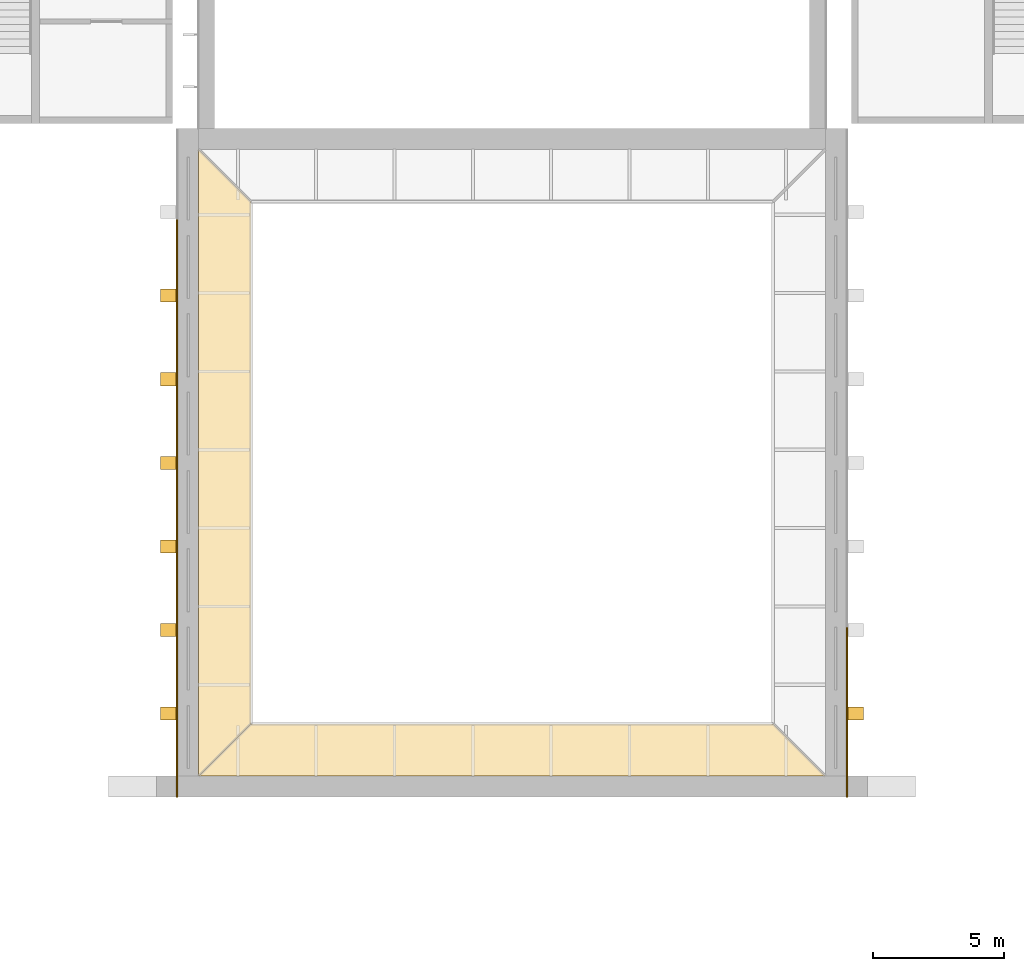
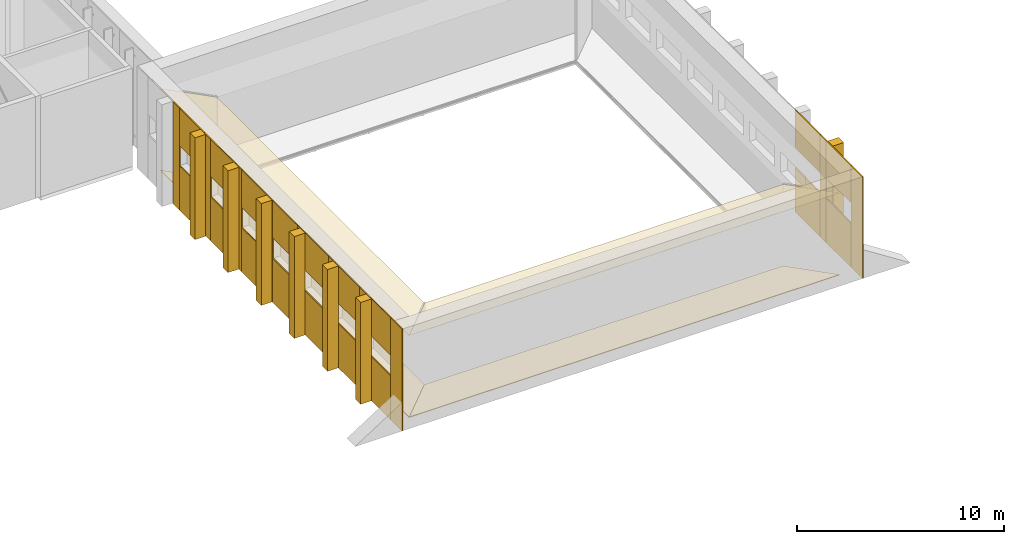
# One storey, part 19 of 22: 39 coverings.
"""IFC4 building model written with IfcOpenShell, lengths in metres."""

from ifc_helpers import new_model, si_unit, direction, frame, origin, origin_2d, place, context, subcontext, project, spatial, polyline, rectangle, outline, extrude, material, layer, layer_set, type_object, element, save


model = new_model("IFC4")

# Units and contexts
model_context = context("Model", 3, precision=1e-05, world=origin(), true_north=direction((0.0, 1.0)))
body_context = subcontext(model_context, "Body", "Model", "MODEL_VIEW")
ifc_project = project(units=[si_unit("LENGTHUNIT", "METRE"), si_unit("AREAUNIT", "SQUARE_METRE"), si_unit("VOLUMEUNIT", "CUBIC_METRE"), si_unit("PLANEANGLEUNIT", "RADIAN"), si_unit("MASSUNIT", "GRAM", prefix="KILO")], contexts=[model_context])

# Site, building, storey
site_placement = place(None, origin())
site = spatial("IfcSite", under=ifc_project, at=site_placement, CompositionType="ELEMENT")
building_placement = place(site_placement, origin())
building = spatial("IfcBuilding", under=site, at=building_placement, Name="Lunette Opera House", CompositionType="ELEMENT")
storey_placement = place(building_placement, frame((0.0, 0.0, 28.0)))
storey = spatial("IfcBuildingStorey", under=building, at=storey_placement, Name="L05", CompositionType="ELEMENT", Elevation=28.0)

# Coverings
ifc_material_1 = material(Name="Aluminium standing seam cladding", Category="aluminium")
ifc_layer_1 = layer(ifc_material_1, 0.06005859375)
ifc_layer_set_1 = layer_set([ifc_layer_1], Name="Aluminium standing seam cladding")
covering_type_1 = type_object("IfcCoveringType", Name="STANDING SEAM CLADDING 60", PredefinedType="CLADDING", material=ifc_layer_set_1)
covering_1_placement = place(storey_placement, frame((83.169921875, 95.75, 0.0), z_axis=(0.0, 0.0, 1.0), x_axis=(0.0, 1.0, 0.0)))
element("IfcCovering", 1, at=covering_1_placement, inside=storey, type_object=covering_type_1, Name="Standing seam cladding WW L05 00", PredefinedType="CLADDING", context=body_context, shape_type="SweptSolid", body=[
    extrude(rectangle(XDim=1.10009765625, YDim=0.06005859375, at=origin_2d()), origin(), (0.0, 0.0, 1.0), 6.0),
])
covering_2_placement = place(storey_placement, frame((83.169921875, 97.5, 0.0), z_axis=(0.0, 0.0, 1.0), x_axis=(0.0, 1.0, 0.0)))
element("IfcCovering", 2, at=covering_2_placement, inside=storey, type_object=covering_type_1, Name="Standing seam cladding WW L05 10", PredefinedType="CLADDING", context=body_context, shape_type="SweptSolid", body=[
    extrude(rectangle(XDim=2.39990234375, YDim=0.06005859375, at=origin_2d()), origin(), (0.0, 0.0, 1.0), 2.60009765625),
])
covering_3_placement = place(storey_placement, frame((83.169921875, 97.5, 3.7998046875), z_axis=(0.0, 0.0, 1.0), x_axis=(0.0, 1.0, 0.0)))
element("IfcCovering", 3, at=covering_3_placement, inside=storey, type_object=covering_type_1, Name="Standing seam cladding WW L05 11", PredefinedType="CLADDING", context=body_context, shape_type="SweptSolid", body=[
    extrude(rectangle(XDim=2.39990234375, YDim=0.06005859375, at=origin_2d()), origin(), (0.0, 0.0, 1.0), 2.199951171875),
])
covering_4_placement = place(storey_placement, frame((83.169921875, 99.0, 0.0), z_axis=(0.0, 0.0, 1.0), x_axis=(0.0, 1.0, 0.0)))
element("IfcCovering", 4, at=covering_4_placement, inside=storey, type_object=covering_type_1, Name="Standing seam cladding WW L05 20", PredefinedType="CLADDING", context=body_context, shape_type="SweptSolid", body=[
    extrude(rectangle(XDim=0.60009765625, YDim=0.06005859375, at=origin_2d()), origin(), (0.0, 0.0, 1.0), 6.0),
])
covering_5_placement = place(storey_placement, frame((83.169921875, 100.5, 0.0), z_axis=(0.0, 0.0, 1.0), x_axis=(0.0, 1.0, 0.0)))
element("IfcCovering", 5, at=covering_5_placement, inside=storey, type_object=covering_type_1, Name="Standing seam cladding WW L05 30", PredefinedType="CLADDING", context=body_context, shape_type="SweptSolid", body=[
    extrude(rectangle(XDim=2.39990234375, YDim=0.06005859375, at=origin_2d()), origin(), (0.0, 0.0, 1.0), 2.60009765625),
])
covering_6_placement = place(storey_placement, frame((83.169921875, 100.5, 3.7998046875), z_axis=(0.0, 0.0, 1.0), x_axis=(0.0, 1.0, 0.0)))
element("IfcCovering", 6, at=covering_6_placement, inside=storey, type_object=covering_type_1, Name="Standing seam cladding WW L05 31", PredefinedType="CLADDING", context=body_context, shape_type="SweptSolid", body=[
    extrude(rectangle(XDim=2.39990234375, YDim=0.06005859375, at=origin_2d()), origin(), (0.0, 0.0, 1.0), 2.199951171875),
])
covering_7_placement = place(storey_placement, frame((83.169921875, 102.0, 0.0), z_axis=(0.0, 0.0, 1.0), x_axis=(0.0, 1.0, 0.0)))
element("IfcCovering", 7, at=covering_7_placement, inside=storey, type_object=covering_type_1, Name="Standing seam cladding WW L05 40", PredefinedType="CLADDING", context=body_context, shape_type="SweptSolid", body=[
    extrude(rectangle(XDim=0.60009765625, YDim=0.06005859375, at=origin_2d()), origin(), (0.0, 0.0, 1.0), 6.0),
])
covering_8_placement = place(storey_placement, frame((83.169921875, 103.5, 0.0), z_axis=(0.0, 0.0, 1.0), x_axis=(0.0, 1.0, 0.0)))
element("IfcCovering", 8, at=covering_8_placement, inside=storey, type_object=covering_type_1, Name="Standing seam cladding WW L05 50", PredefinedType="CLADDING", context=body_context, shape_type="SweptSolid", body=[
    extrude(rectangle(XDim=2.39990234375, YDim=0.06005859375, at=origin_2d()), origin(), (0.0, 0.0, 1.0), 2.60009765625),
])
covering_9_placement = place(storey_placement, frame((83.169921875, 103.5, 3.7998046875), z_axis=(0.0, 0.0, 1.0), x_axis=(0.0, 1.0, 0.0)))
element("IfcCovering", 9, at=covering_9_placement, inside=storey, type_object=covering_type_1, Name="Standing seam cladding WW L05 51", PredefinedType="CLADDING", context=body_context, shape_type="SweptSolid", body=[
    extrude(rectangle(XDim=2.39990234375, YDim=0.06005859375, at=origin_2d()), origin(), (0.0, 0.0, 1.0), 2.199951171875),
])
covering_10_placement = place(storey_placement, frame((83.169921875, 105.0, 0.0), z_axis=(0.0, 0.0, 1.0), x_axis=(0.0, 1.0, 0.0)))
element("IfcCovering", 10, at=covering_10_placement, inside=storey, type_object=covering_type_1, Name="Standing seam cladding WW L05 60", PredefinedType="CLADDING", context=body_context, shape_type="SweptSolid", body=[
    extrude(rectangle(XDim=0.60009765625, YDim=0.06005859375, at=origin_2d()), origin(), (0.0, 0.0, 1.0), 6.0),
])
covering_11_placement = place(storey_placement, frame((83.169921875, 106.5, 0.0), z_axis=(0.0, 0.0, 1.0), x_axis=(0.0, 1.0, 0.0)))
element("IfcCovering", 11, at=covering_11_placement, inside=storey, type_object=covering_type_1, Name="Standing seam cladding WW L05 70", PredefinedType="CLADDING", context=body_context, shape_type="SweptSolid", body=[
    extrude(rectangle(XDim=2.39990234375, YDim=0.06005859375, at=origin_2d()), origin(), (0.0, 0.0, 1.0), 2.60009765625),
])
covering_12_placement = place(storey_placement, frame((83.169921875, 106.5, 3.7998046875), z_axis=(0.0, 0.0, 1.0), x_axis=(0.0, 1.0, 0.0)))
element("IfcCovering", 12, at=covering_12_placement, inside=storey, type_object=covering_type_1, Name="Standing seam cladding WW L05 71", PredefinedType="CLADDING", context=body_context, shape_type="SweptSolid", body=[
    extrude(rectangle(XDim=2.39990234375, YDim=0.06005859375, at=origin_2d()), origin(), (0.0, 0.0, 1.0), 2.199951171875),
])
covering_13_placement = place(storey_placement, frame((83.169921875, 108.0, 0.0), z_axis=(0.0, 0.0, 1.0), x_axis=(0.0, 1.0, 0.0)))
element("IfcCovering", 13, at=covering_13_placement, inside=storey, type_object=covering_type_1, Name="Standing seam cladding WW L05 80", PredefinedType="CLADDING", context=body_context, shape_type="SweptSolid", body=[
    extrude(rectangle(XDim=0.60009765625, YDim=0.06005859375, at=origin_2d()), origin(), (0.0, 0.0, 1.0), 6.0),
])
covering_14_placement = place(storey_placement, frame((83.169921875, 109.5, 0.0), z_axis=(0.0, 0.0, 1.0), x_axis=(0.0, 1.0, 0.0)))
element("IfcCovering", 14, at=covering_14_placement, inside=storey, type_object=covering_type_1, Name="Standing seam cladding WW L05 90", PredefinedType="CLADDING", context=body_context, shape_type="SweptSolid", body=[
    extrude(rectangle(XDim=2.39990234375, YDim=0.06005859375, at=origin_2d()), origin(), (0.0, 0.0, 1.0), 2.60009765625),
])
covering_15_placement = place(storey_placement, frame((83.169921875, 109.5, 3.7998046875), z_axis=(0.0, 0.0, 1.0), x_axis=(0.0, 1.0, 0.0)))
element("IfcCovering", 15, at=covering_15_placement, inside=storey, type_object=covering_type_1, Name="Standing seam cladding WW L05 91", PredefinedType="CLADDING", context=body_context, shape_type="SweptSolid", body=[
    extrude(rectangle(XDim=2.39990234375, YDim=0.06005859375, at=origin_2d()), origin(), (0.0, 0.0, 1.0), 2.199951171875),
])
covering_16_placement = place(storey_placement, frame((83.169921875, 111.0, 0.0), z_axis=(0.0, 0.0, 1.0), x_axis=(0.0, 1.0, 0.0)))
element("IfcCovering", 16, at=covering_16_placement, inside=storey, type_object=covering_type_1, Name="Standing seam cladding WW L05 100", PredefinedType="CLADDING", context=body_context, shape_type="SweptSolid", body=[
    extrude(rectangle(XDim=0.60009765625, YDim=0.06005859375, at=origin_2d()), origin(), (0.0, 0.0, 1.0), 6.0),
])
covering_17_placement = place(storey_placement, frame((83.169921875, 112.5, 0.0), z_axis=(0.0, 0.0, 1.0), x_axis=(0.0, 1.0, 0.0)))
element("IfcCovering", 17, at=covering_17_placement, inside=storey, type_object=covering_type_1, Name="Standing seam cladding WW L05 110", PredefinedType="CLADDING", context=body_context, shape_type="SweptSolid", body=[
    extrude(rectangle(XDim=2.39990234375, YDim=0.06005859375, at=origin_2d()), origin(), (0.0, 0.0, 1.0), 2.60009765625),
])
covering_18_placement = place(storey_placement, frame((83.169921875, 112.5, 3.7998046875), z_axis=(0.0, 0.0, 1.0), x_axis=(0.0, 1.0, 0.0)))
element("IfcCovering", 18, at=covering_18_placement, inside=storey, type_object=covering_type_1, Name="Standing seam cladding WW L05 111", PredefinedType="CLADDING", context=body_context, shape_type="SweptSolid", body=[
    extrude(rectangle(XDim=2.39990234375, YDim=0.06005859375, at=origin_2d()), origin(), (0.0, 0.0, 1.0), 2.199951171875),
])
covering_19_placement = place(storey_placement, frame((83.169921875, 114.0, 0.0), z_axis=(0.0, 0.0, 1.0), x_axis=(0.0, 1.0, 0.0)))
element("IfcCovering", 19, at=covering_19_placement, inside=storey, type_object=covering_type_1, Name="Standing seam cladding WW L05 120", PredefinedType="CLADDING", context=body_context, shape_type="SweptSolid", body=[
    extrude(rectangle(XDim=0.60009765625, YDim=0.06005859375, at=origin_2d()), origin(), (0.0, 0.0, 1.0), 6.0),
])
covering_20_placement = place(storey_placement, frame((83.169921875, 115.5, 0.0), z_axis=(0.0, 0.0, 1.0), x_axis=(0.0, 1.0, 0.0)))
element("IfcCovering", 20, at=covering_20_placement, inside=storey, type_object=covering_type_1, Name="Standing seam cladding WW L05 130", PredefinedType="CLADDING", context=body_context, shape_type="SweptSolid", body=[
    extrude(rectangle(XDim=2.39990234375, YDim=0.06005859375, at=origin_2d()), origin(), (0.0, 0.0, 1.0), 2.60009765625),
])
covering_21_placement = place(storey_placement, frame((83.169921875, 115.5, 3.7998046875), z_axis=(0.0, 0.0, 1.0), x_axis=(0.0, 1.0, 0.0)))
element("IfcCovering", 21, at=covering_21_placement, inside=storey, type_object=covering_type_1, Name="Standing seam cladding WW L05 131", PredefinedType="CLADDING", context=body_context, shape_type="SweptSolid", body=[
    extrude(rectangle(XDim=2.39990234375, YDim=0.06005859375, at=origin_2d()), origin(), (0.0, 0.0, 1.0), 2.199951171875),
])
covering_22_placement = place(storey_placement, frame((83.169921875, 117.0, 0.0), z_axis=(0.0, 0.0, 1.0), x_axis=(0.0, 1.0, 0.0)))
element("IfcCovering", 22, at=covering_22_placement, inside=storey, type_object=covering_type_1, Name="Standing seam cladding WW L05 140", PredefinedType="CLADDING", context=body_context, shape_type="SweptSolid", body=[
    extrude(rectangle(XDim=0.60009765625, YDim=0.06005859375, at=origin_2d()), origin(), (0.0, 0.0, 1.0), 6.0),
])
covering_23_placement = place(storey_placement, frame((108.830078125, 95.75, 0.0), z_axis=(0.0, 0.0, 1.0), x_axis=(0.0, 1.0, 0.0)))
element("IfcCovering", 23, at=covering_23_placement, inside=storey, type_object=covering_type_1, Name="Standing seam cladding WE L05 00", PredefinedType="CLADDING", context=body_context, shape_type="SweptSolid", body=[
    extrude(rectangle(XDim=1.10009765625, YDim=0.06005859375, at=origin_2d()), origin(), (0.0, 0.0, 1.0), 6.0),
])
covering_24_placement = place(storey_placement, frame((108.830078125, 97.5, 0.0), z_axis=(0.0, 0.0, 1.0), x_axis=(0.0, 1.0, 0.0)))
element("IfcCovering", 24, at=covering_24_placement, inside=storey, type_object=covering_type_1, Name="Standing seam cladding WE L05 10", PredefinedType="CLADDING", context=body_context, shape_type="SweptSolid", body=[
    extrude(rectangle(XDim=2.39990234375, YDim=0.06005859375, at=origin_2d()), origin(), (0.0, 0.0, 1.0), 2.60009765625),
])
covering_25_placement = place(storey_placement, frame((108.830078125, 97.5, 3.7998046875), z_axis=(0.0, 0.0, 1.0), x_axis=(0.0, 1.0, 0.0)))
element("IfcCovering", 25, at=covering_25_placement, inside=storey, type_object=covering_type_1, Name="Standing seam cladding WE L05 11", PredefinedType="CLADDING", context=body_context, shape_type="SweptSolid", body=[
    extrude(rectangle(XDim=2.39990234375, YDim=0.06005859375, at=origin_2d()), origin(), (0.0, 0.0, 1.0), 2.199951171875),
])
covering_26_placement = place(storey_placement, frame((108.830078125, 99.0, 0.0), z_axis=(0.0, 0.0, 1.0), x_axis=(0.0, 1.0, 0.0)))
element("IfcCovering", 26, at=covering_26_placement, inside=storey, type_object=covering_type_1, Name="Standing seam cladding WE L05 20", PredefinedType="CLADDING", context=body_context, shape_type="SweptSolid", body=[
    extrude(rectangle(XDim=0.60009765625, YDim=0.06005859375, at=origin_2d()), origin(), (0.0, 0.0, 1.0), 6.0),
])
covering_27_placement = place(storey_placement, frame((108.830078125, 100.5, 0.0), z_axis=(0.0, 0.0, 1.0), x_axis=(0.0, 1.0, 0.0)))
element("IfcCovering", 27, at=covering_27_placement, inside=storey, type_object=covering_type_1, Name="Standing seam cladding WE L05 30", PredefinedType="CLADDING", context=body_context, shape_type="SweptSolid", body=[
    extrude(rectangle(XDim=2.39990234375, YDim=0.06005859375, at=origin_2d()), origin(), (0.0, 0.0, 1.0), 2.60009765625),
])
covering_28_placement = place(storey_placement, frame((108.830078125, 100.5, 3.7998046875), z_axis=(0.0, 0.0, 1.0), x_axis=(0.0, 1.0, 0.0)))
element("IfcCovering", 28, at=covering_28_placement, inside=storey, type_object=covering_type_1, Name="Standing seam cladding WE L05 31", PredefinedType="CLADDING", context=body_context, shape_type="SweptSolid", body=[
    extrude(rectangle(XDim=2.39990234375, YDim=0.06005859375, at=origin_2d()), origin(), (0.0, 0.0, 1.0), 2.199951171875),
])
ifc_material_2 = material(Name="Mineral fibre board")
ifc_layer_2 = layer(ifc_material_2, 0.014892578125)
ifc_layer_set_2 = layer_set([ifc_layer_2], Name="Mineral fibre board")
covering_type_2 = type_object("IfcCoveringType", Name="SUSPENDED ACOUSTIC CEILING 15", PredefinedType="CEILING", material=ifc_layer_set_2)
covering_29_placement = place(storey_placement, frame((0.0, 0.0, 4.8349609375)))
element("IfcCovering", 29, at=covering_29_placement, inside=storey, type_object=covering_type_2, Name="Ceiling Fly Gallery 28 South", PredefinedType="CEILING", context=body_context, shape_type="SweptSolid", body=[
    extrude(outline(polyline([(86.0, 98.0), (106.0, 98.0), (108.0, 96.0), (84.0, 96.0), (86.0, 98.0)])), origin(), (0.0, 0.0, 1.0), 0.01513671875),
])
covering_30_placement = place(storey_placement, frame((0.0, 0.0, 4.8349609375)))
element("IfcCovering", 30, at=covering_30_placement, inside=storey, type_object=covering_type_2, Name="Ceiling Fly Gallery 28 West", PredefinedType="CEILING", context=body_context, shape_type="SweptSolid", body=[
    extrude(outline(polyline([(86.0, 118.0), (86.0, 98.0), (84.0, 96.0), (84.0, 120.0), (86.0, 118.0)])), origin(), (0.0, 0.0, 1.0), 0.01513671875),
])
ifc_material_3 = material(Name="Timber", Category="wood")
ifc_layer_3 = layer(ifc_material_3, 0.0400390625)
ifc_layer_set_3 = layer_set([ifc_layer_3], Name="Timber")
covering_type_3 = type_object("IfcCoveringType", Name="TIMBER FLOOR FINISH 40", PredefinedType="FLOORING", material=ifc_layer_set_3)
covering_31_placement = place(storey_placement, origin())
element("IfcCovering", 31, at=covering_31_placement, inside=storey, type_object=covering_type_3, Name="Floor finish Fly Gallery 28 South", PredefinedType="FLOORING", context=body_context, shape_type="SweptSolid", body=[
    extrude(outline(polyline([(86.0, 98.0), (106.0, 98.0), (108.0, 96.0), (84.0, 96.0), (86.0, 98.0)])), origin(), (0.0, 0.0, 1.0), 0.0400390625),
])
covering_32_placement = place(storey_placement, origin())
element("IfcCovering", 32, at=covering_32_placement, inside=storey, type_object=covering_type_3, Name="Floor finish Fly Gallery 28 West", PredefinedType="FLOORING", context=body_context, shape_type="SweptSolid", body=[
    extrude(outline(polyline([(86.0, 118.0), (86.0, 98.0), (84.0, 96.0), (84.0, 120.0), (86.0, 118.0)])), origin(), (0.0, 0.0, 1.0), 0.0400390625),
])
ifc_material_4 = material(Name="Weathering steel plate", Category="steel")
ifc_layer_4 = layer(ifc_material_4, 0.60009765625)
ifc_layer_set_4 = layer_set([ifc_layer_4], Name="Weathering steel plate")
covering_type_4 = type_object("IfcCoveringType", Name="TOWER RIB 500 X 600", PredefinedType="CLADDING", material=ifc_layer_set_4)
for number, where, z_axis, x_axis, name in (
    (33, (82.840087890625, 98.39990234375, 0.0), (0.0, 0.0, 1.0), (0.0, 1.0, 0.0), "Tower rib WW L05 1"),
    (34, (82.840087890625, 101.60009765625, 0.0), (0.0, 0.0, 1.0), (0.0, 1.0, 0.0), "Tower rib WW L05 2"),
    (35, (82.840087890625, 104.800048828125, 0.0), (0.0, 0.0, 1.0), (0.0, 1.0, 0.0), "Tower rib WW L05 3"),
    (36, (82.840087890625, 108.0, 0.0), (0.0, 0.0, 1.0), (0.0, 1.0, 0.0), "Tower rib WW L05 4"),
    (37, (82.840087890625, 111.199951171875, 0.0), (0.0, 0.0, 1.0), (0.0, 1.0, 0.0), "Tower rib WW L05 5"),
    (38, (82.840087890625, 114.39990234375, 0.0), (0.0, 0.0, 1.0), (0.0, 1.0, 0.0), "Tower rib WW L05 6"),
    (39, (109.159912109375, 98.39990234375, 0.0), (0.0, 0.0, 1.0), (0.0, 1.0, 0.0), "Tower rib WE L05 1"),
):
    element("IfcCovering", number, at=place(storey_placement, frame(where, z_axis=z_axis, x_axis=x_axis)), inside=storey, type_object=covering_type_4, Name=name, PredefinedType="CLADDING", context=body_context, shape_type="SweptSolid", body=[
        extrude(rectangle(XDim=0.5, YDim=0.60009765625, at=origin_2d()), origin(), (0.0, 0.0, 1.0), 6.0),
    ])

save(model, "model.ifc")
